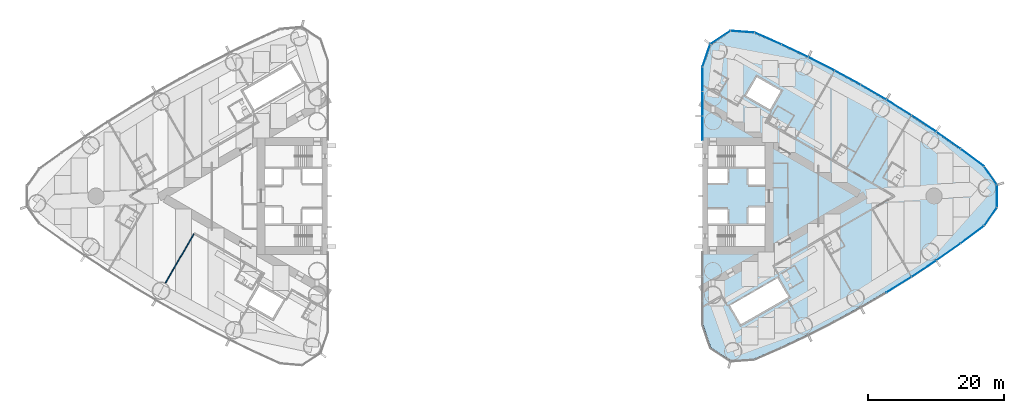
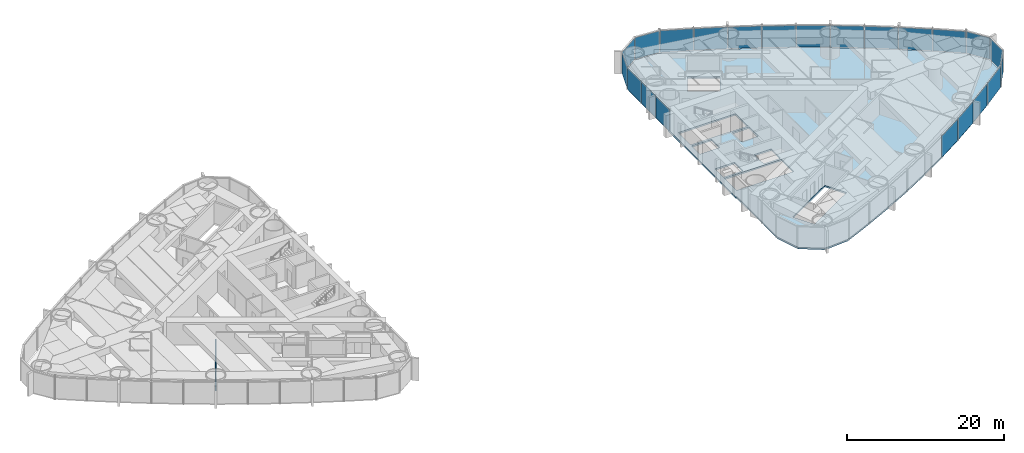
# One storey, part 10 of 18: 22 plates, 1 slab, 1 wall, 1 element without a shape of its own.
"""IFC4 building model written with IfcOpenShell, lengths in metres."""

import ifcopenshell
import ifcopenshell.guid

model = None  # the IFC model being written
_history = None  # IfcOwnerHistory: only IFC2X3 demands one
_inside = {}  # id of a spatial element -> (the spatial element, [elements in it])
_under = {}  # id of a project, library or spatial element -> (it, [spatial elements below it])
_declared = {}  # id of a project -> (the project, [libraries it declares])
_typed = {}  # id of a type object -> (the type object, [elements of that type])
_made_of = {}  # id of a material, layer set ... -> (it, [elements and type objects made of it])


def new_model(schema):
    """Start an empty IFC model of exactly this schema.

    Asked for "IFC4X3", IfcOpenShell would pick the latest addendum, in which some entities
    have other attributes; the version numbers below select the first issue.
    IFC2X3 requires an IfcOwnerHistory on every rooted entity: one is made here for all.
    """
    global model, _history
    if schema == "IFC4X3":
        model = ifcopenshell.file(schema_version=(4, 3, 0, 0))
    else:
        model = ifcopenshell.file(schema=schema)
    _inside.clear()
    _under.clear()
    _declared.clear()
    _typed.clear()
    _made_of.clear()
    _history = None
    if model.schema == "IFC2X3":
        org = make("IfcOrganization", Name="unknown")
        user = make(
            "IfcPersonAndOrganization",
            ThePerson=make("IfcPerson", FamilyName="unknown"),
            TheOrganization=org,
        )
        app = make(
            "IfcApplication",
            ApplicationDeveloper=org,
            Version="unknown",
            ApplicationFullName="unknown",
            ApplicationIdentifier="unknown",
        )
        _history = make(
            "IfcOwnerHistory",
            OwningUser=user,
            OwningApplication=app,
            ChangeAction="ADDED",
            CreationDate=0,
        )
    return model


def make(cls, **values):
    """One entity of the class cls with the attributes given. An attribute that is None is left unset."""
    return model.create_entity(
        cls, **{name: value for name, value in values.items() if value is not None}
    )


def rooted(cls, **values):
    """An entity with a GlobalId (a new one), such as an element, a storey or a relation."""
    return make(cls, GlobalId=ifcopenshell.guid.new(), OwnerHistory=_history, **values)


def si_unit(unit_type, name, prefix=None):
    """IfcSIUnit, for example si_unit("LENGTHUNIT", "METRE", prefix="MILLI")."""
    return make("IfcSIUnit", UnitType=unit_type, Prefix=prefix, Name=name)


def assignment(units):
    """IfcUnitAssignment: the units of a project."""
    return None if units is None else make("IfcUnitAssignment", Units=units)


def point(xyz):
    """IfcCartesianPoint."""
    return None if xyz is None else make("IfcCartesianPoint", Coordinates=xyz)


def direction(xyz):
    """IfcDirection."""
    return None if xyz is None else make("IfcDirection", DirectionRatios=xyz)


def frame(location, z_axis=None, x_axis=None):
    """IfcAxis2Placement3D, a coordinate frame: its origin and axes. An axis left out is left unset."""
    return make(
        "IfcAxis2Placement3D",
        Location=point(location),
        Axis=direction(z_axis),
        RefDirection=direction(x_axis),
    )


def frame_2d(location, x_axis=None):
    """IfcAxis2Placement2D, a coordinate frame in the plane: its origin and x axis."""
    return make(
        "IfcAxis2Placement2D", Location=point(location), RefDirection=direction(x_axis)
    )


def origin():
    """The frame at (0, 0, 0) with its axes left unset."""
    return frame((0.0, 0.0, 0.0))


def origin_2d():
    """The frame at (0, 0) in the plane with its x axis left unset."""
    return frame_2d((0.0, 0.0))


def place(relative_to, where):
    """IfcLocalPlacement: puts the frame where relative to a parent placement (None: the world)."""
    return make(
        "IfcLocalPlacement", PlacementRelTo=relative_to, RelativePlacement=where
    )


def context(
    kind, dimensions, precision=None, world=None, true_north=None, identifier=None
):
    """IfcGeometricRepresentationContext, for example the 3D "Model" context."""
    return make(
        "IfcGeometricRepresentationContext",
        ContextIdentifier=identifier,
        ContextType=kind,
        CoordinateSpaceDimension=dimensions,
        Precision=precision,
        WorldCoordinateSystem=world,
        TrueNorth=true_north,
    )


def subcontext(parent, identifier, kind, view, scale=None):
    """IfcGeometricRepresentationSubContext, for example "Body" below "Model"."""
    return make(
        "IfcGeometricRepresentationSubContext",
        ContextIdentifier=identifier,
        ContextType=kind,
        ParentContext=parent,
        TargetScale=scale,
        TargetView=view,
    )


def project(units=None, contexts=None):
    """IfcProject with its units and contexts."""
    return rooted(
        "IfcProject",
        Name="project",
        RepresentationContexts=contexts,
        UnitsInContext=assignment(units),
    )


def spatial(cls, under=None, at=None, **own):
    """A site, building, storey or space (cls), placed at a placement, below another one or the project."""
    s = rooted(cls, ObjectPlacement=at, **own)
    if under is not None:
        _under.setdefault(under.id(), (under, []))[1].append(s)
    return s


def polyline(points):
    """IfcPolyline through the points."""
    return make("IfcPolyline", Points=[point(p) for p in points])


def profile(cls, at=None, kind="AREA", **sizes):
    """A parametric profile (cls). Its sizes go by their IFC names, for example OverallWidth=200.0."""
    return make(cls, ProfileType=kind, Position=at, **sizes)


def rectangle(**sizes):
    """IfcRectangleProfileDef."""
    return profile("IfcRectangleProfileDef", **sizes)


def outline(outer, holes=None, kind="AREA"):
    """IfcArbitraryClosedProfileDef: a profile drawn as a closed curve; with holes, ...WithVoids."""
    if holes is None:
        return make("IfcArbitraryClosedProfileDef", ProfileType=kind, OuterCurve=outer)
    return make(
        "IfcArbitraryProfileDefWithVoids",
        ProfileType=kind,
        OuterCurve=outer,
        InnerCurves=holes,
    )


def extrude(swept, where, along, depth):
    """IfcExtrudedAreaSolid: the profile swept, set in the frame where, extruded along a direction by depth."""
    return make(
        "IfcExtrudedAreaSolid",
        SweptArea=swept,
        Position=where,
        ExtrudedDirection=direction(along),
        Depth=depth,
    )


def shape(context_of_items, identifier, shape_type, items):
    """IfcShapeRepresentation: the items that make up one representation, for example the "Body"."""
    return make(
        "IfcShapeRepresentation",
        ContextOfItems=context_of_items,
        RepresentationIdentifier=identifier,
        RepresentationType=shape_type,
        Items=items,
    )


def material(Name=None, Category=None):
    """IfcMaterial."""
    return make("IfcMaterial", Name=Name, Category=Category)


def layer(
    of_material, thickness, ventilated=None, Name=None, Category=None, Priority=None
):
    """IfcMaterialLayer: one layer of a wall or slab, of a material (None: an air gap)."""
    return make(
        "IfcMaterialLayer",
        Material=of_material,
        LayerThickness=thickness,
        IsVentilated=ventilated,
        Name=Name,
        Category=Category,
        Priority=Priority,
    )


def layer_set(layers, Name=None):
    """IfcMaterialLayerSet."""
    return make("IfcMaterialLayerSet", MaterialLayers=layers, LayerSetName=Name)


def made_of(thing, what):
    """Note that an element or type object is made of a material, layer set ...; save() writes the relation."""
    if what is not None:
        _made_of.setdefault(what.id(), (what, []))[1].append(thing)
    return thing


def type_object(cls, material=None, **own):
    """A type object (cls), such as IfcWallType, which elements share."""
    return made_of(rooted(cls, **own), material)


def element(
    cls,
    number,
    at=None,
    inside=None,
    cuts=None,
    type_object=None,
    material=None,
    context=None,
    identifier="Body",
    shape_type=None,
    held_by="IfcProductDefinitionShape",
    body=None,
    shapes=None,
    **own,
):
    """One element of the class cls, such as IfcWall. Its Tag is "e" and its number.

    at: its placement. inside: the storey or other place that contains it. cuts: it is an
    opening in that element (IfcRelVoidsElement). A single representation is given by context,
    identifier, shape_type and body (its items); several are given by shapes. held_by: the class
    of the entity that holds the representations. save() writes the other relations.
    """
    e = rooted(cls, Tag="e%d" % number, ObjectPlacement=at, **own)
    if body is not None:
        shapes = [shape(context, identifier, shape_type, body)]
    if shapes is not None:
        e.Representation = make(held_by, Representations=shapes)
    if inside is not None:
        _inside.setdefault(inside.id(), (inside, []))[1].append(e)
    if cuts is not None:
        rooted(
            "IfcRelVoidsElement", RelatingBuildingElement=cuts, RelatedOpeningElement=e
        )
    if type_object is not None:
        _typed.setdefault(type_object.id(), (type_object, []))[1].append(e)
    return made_of(e, material)


def aggregate(whole, parts):
    """IfcRelAggregates: a whole, such as a stair, and the parts it consists of."""
    return rooted("IfcRelAggregates", RelatingObject=whole, RelatedObjects=parts)


def save(model, path):
    """Write the relations noted so far, then the file.

    IfcRelAggregates (storeys below a building ...), IfcRelContainedInSpatialStructure (elements
    in a storey), IfcRelDefinesByType, IfcRelAssociatesMaterial and IfcRelDeclares: one each for
    every whole, place, type object, material and project.
    """
    for whole, parts in _under.values():
        aggregate(whole, parts)
    for where, things in _inside.values():
        rooted(
            "IfcRelContainedInSpatialStructure",
            RelatedElements=things,
            RelatingStructure=where,
        )
    for kind, things in _typed.values():
        rooted("IfcRelDefinesByType", RelatedObjects=things, RelatingType=kind)
    for what, things in _made_of.values():
        rooted("IfcRelAssociatesMaterial", RelatedObjects=things, RelatingMaterial=what)
    for by, libraries in _declared.values():
        rooted("IfcRelDeclares", RelatingContext=by, RelatedDefinitions=libraries)
    model.write(path)


model = new_model("IFC4")

# Units and contexts
model_context = context("Model", 3, precision=1e-05, world=origin(), true_north=direction((0.0, 1.0)))
body_context = subcontext(model_context, "Body", "Model", "MODEL_VIEW")
ifc_project = project(units=[si_unit("LENGTHUNIT", "METRE"), si_unit("AREAUNIT", "SQUARE_METRE"), si_unit("VOLUMEUNIT", "CUBIC_METRE"), si_unit("PLANEANGLEUNIT", "RADIAN"), si_unit("MASSUNIT", "GRAM", prefix="KILO")], contexts=[model_context])

# Site, building, storey
site_placement = place(None, origin())
site = spatial("IfcSite", under=ifc_project, at=site_placement, CompositionType="ELEMENT")
building_placement = place(site_placement, origin())
building = spatial("IfcBuilding", under=site, at=building_placement, Name="Lancet Gate Hotel", CompositionType="ELEMENT")
storey_placement = place(building_placement, frame((0.0, 0.0, 136.10009765625)))
storey = spatial("IfcBuildingStorey", under=building, at=storey_placement, Name="L36", CompositionType="ELEMENT", Elevation=136.10009765625)

# Slab
ifc_material_1 = material(Name="Concrete C50/60", Category="concrete")
ifc_layer_1 = layer(ifc_material_1, 0.25)
ifc_layer_set_1 = layer_set([ifc_layer_1], Name="Floor slab 250")
slab_type = type_object("IfcSlabType", Name="Floor slab 250", PredefinedType="FLOOR", material=ifc_layer_set_1)
slab_placement = place(storey_placement, frame((0.0, 0.0, -0.25)))
element("IfcSlab", 1, at=slab_placement, inside=storey, type_object=slab_type, Name="T2 L36 floor slab", PredefinedType="FLOOR", context=body_context, shape_type="SweptSolid", body=[
    extrude(outline(polyline([(27.5, -8.60009765625), (27.6201171875, -8.60009765625), (27.6201171875, -18.923095703125), (28.7451171875, -22.22412109375), (31.63427734375, -24.1396484375), (35.112060546875, -23.890869140625), (39.0712890625, -22.150634765625), (42.996826171875, -20.29052734375), (46.867919921875, -18.31982421875), (50.681640625, -16.23974609375), (54.4345703125, -14.052490234375), (58.123779296875, -11.75927734375), (61.74658203125, -9.362548828125), (65.2998046875, -6.863525390625), (68.7666015625, -4.275390625), (70.627197265625, -1.6142578125), (70.627197265625, 1.6142578125), (68.7666015625, 4.275390625), (65.2998046875, 6.863525390625), (61.74658203125, 9.362548828125), (58.123779296875, 11.75927734375), (54.4345703125, 14.052490234375), (50.681640625, 16.23974609375), (46.867919921875, 18.31982421875), (42.996826171875, 20.29052734375), (39.0712890625, 22.150634765625), (35.112060546875, 23.890869140625), (31.63427734375, 24.1396484375), (28.7451171875, 22.22412109375), (27.6201171875, 18.923095703125), (27.6201171875, 8.60009765625), (27.5, 8.60009765625), (27.5, 8.199951171875), (27.5, -8.199951171875), (27.5, -8.60009765625)]), holes=[polyline([(36.699951171875, -7.39990234375), (36.699951171875, -4.300048828125), (28.300048828125, -4.300048828125), (28.300048828125, -7.39990234375), (36.699951171875, -7.39990234375)]), polyline([(28.300048828125, -4.0), (31.199951171875, -4.0), (31.199951171875, -1.89990234375), (28.300048828125, -1.89990234375), (28.300048828125, -4.0)]), polyline([(34.25, -4.0), (36.699951171875, -4.0), (36.699951171875, -1.64990234375), (34.25, -1.64990234375), (34.25, -4.0)]), polyline([(36.699951171875, 1.64990234375), (36.699951171875, 4.0), (34.25, 4.0), (34.25, 1.64990234375), (36.699951171875, 1.64990234375)]), polyline([(28.300048828125, 1.89990234375), (31.199951171875, 1.89990234375), (31.199951171875, 4.0), (28.300048828125, 4.0), (28.300048828125, 1.89990234375)]), polyline([(28.300048828125, 4.300048828125), (36.699951171875, 4.300048828125), (36.699951171875, 7.39990234375), (28.300048828125, 7.39990234375), (28.300048828125, 4.300048828125)]), polyline([(31.549072265625, -16.0810546875), (33.14892578125, -18.85205078125), (40.1640625, -14.802001953125), (38.56396484375, -12.031005859375), (31.549072265625, -16.0810546875)]), polyline([(33.887939453125, 14.73095703125), (37.43798828125, 12.680908203125), (39.0380859375, 15.451904296875), (35.488037109375, 17.501953125), (33.887939453125, 14.73095703125)])]), origin(), (0.0, 0.0, 1.0), 0.25),
])

# Curtain wall, plates
ifc_material_2 = material(Name="Aluminium curtain wall", Category="aluminium")
curtain_wall_type = type_object("IfcCurtainWallType", Name="Tower unitised curtain wall", PredefinedType="USERDEFINED", material=ifc_material_2)
curtain_wall_placement = place(storey_placement, origin())
curtain_wall = element("IfcCurtainWall", 2, at=curtain_wall_placement, inside=storey, type_object=curtain_wall_type, Name="T2 L36 curtain wall 1", ObjectType="UNITISED CURTAIN WALL", PredefinedType="USERDEFINED")
ifc_material_3 = material(Name="Glass double glazed unit 8-16-6", Category="glass")
ifc_layer_2 = layer(ifc_material_3, 0.030029296875)
ifc_layer_set_2 = layer_set([ifc_layer_2], Name="Vision panel double glazed")
plate_type = type_object("IfcPlateType", Name="Vision panel double glazed", PredefinedType="CURTAIN_PANEL", material=ifc_layer_set_2)
plate_1_placement = place(storey_placement, frame((56.342529296875, -13.0078125, -0.000244140625), z_axis=(0.0, 0.0, 1.0), x_axis=(0.849317759497, 0.527881940781, 0.0)))
plate_1 = element("IfcPlate", 3, at=plate_1_placement, type_object=plate_type, Name="T2 L36 curtain wall 1 panel 12", PredefinedType="CURTAIN_PANEL", context=body_context, shape_type="SweptSolid", body=[
    extrude(rectangle(XDim=4.2822265625, YDim=0.030029296875, at=origin_2d()), origin(), (0.0, 0.0, 1.0), 3.35009765625),
])
plate_2_placement = place(storey_placement, frame((60.00146484375, -10.660888671875, -0.000244140625), z_axis=(0.0, 0.0, 1.0), x_axis=(0.83398495346, 0.551787184885, 0.0)))
plate_2 = element("IfcPlate", 4, at=plate_2_placement, type_object=plate_type, Name="T2 L36 curtain wall 1 panel 13", PredefinedType="CURTAIN_PANEL", context=body_context, shape_type="SweptSolid", body=[
    extrude(rectangle(XDim=4.2822265625, YDim=0.030029296875, at=origin_2d()), origin(), (0.0, 0.0, 1.0), 3.35009765625),
])
plate_3_placement = place(storey_placement, frame((63.59228515625, -8.211181640625, -0.000244140625), z_axis=(0.0, 0.0, 1.0), x_axis=(0.817979492167, 0.57524738191, 0.0)))
plate_3 = element("IfcPlate", 5, at=plate_3_placement, type_object=plate_type, Name="T2 L36 curtain wall 1 panel 14", PredefinedType="CURTAIN_PANEL", context=body_context, shape_type="SweptSolid", body=[
    extrude(rectangle(XDim=4.2822265625, YDim=0.030029296875, at=origin_2d()), origin(), (0.0, 0.0, 1.0), 3.35009765625),
])
plate_4_placement = place(storey_placement, frame((67.112060546875, -5.660400390625, -0.000244140625), z_axis=(0.0, 0.0, 1.0), x_axis=(0.801314284905, 0.598243609917, 0.0)))
plate_4 = element("IfcPlate", 6, at=plate_4_placement, type_object=plate_type, Name="T2 L36 curtain wall 1 panel 15", PredefinedType="CURTAIN_PANEL", context=body_context, shape_type="SweptSolid", body=[
    extrude(rectangle(XDim=4.2822265625, YDim=0.030029296875, at=origin_2d()), origin(), (0.0, 0.0, 1.0), 3.35009765625),
])
plate_5_placement = place(storey_placement, frame((69.800537109375, -3.006103515625, -0.000244140625), z_axis=(0.0, 0.0, 1.0), x_axis=(0.573025075425, 0.819537834962, 0.0)))
plate_5 = element("IfcPlate", 7, at=plate_5_placement, type_object=plate_type, Name="T2 L36 curtain wall 1 panel 16", PredefinedType="CURTAIN_PANEL", context=body_context, shape_type="SweptSolid", body=[
    extrude(rectangle(XDim=3.2392578125, YDim=0.030029296875, at=origin_2d()), origin(), (0.0, 0.0, 1.0), 3.35009765625),
])
plate_6_placement = place(storey_placement, frame((70.747314453125, 0.0, -0.000244140625), z_axis=(0.0, 0.0, 1.0), x_axis=(0.0, 1.0, 0.0)))
plate_6 = element("IfcPlate", 8, at=plate_6_placement, type_object=plate_type, Name="T2 L36 curtain wall 1 panel 17", PredefinedType="CURTAIN_PANEL", context=body_context, shape_type="SweptSolid", body=[
    extrude(rectangle(XDim=3.2392578125, YDim=0.030029296875, at=origin_2d()), origin(), (0.0, 0.0, 1.0), 3.35009765625),
])
plate_7_placement = place(storey_placement, frame((69.800537109375, 3.006103515625, -0.000244140625), z_axis=(0.0, 0.0, 1.0), x_axis=(-0.573025075425, 0.819537834962, 0.0)))
plate_7 = element("IfcPlate", 9, at=plate_7_placement, type_object=plate_type, Name="T2 L36 curtain wall 1 panel 18", PredefinedType="CURTAIN_PANEL", context=body_context, shape_type="SweptSolid", body=[
    extrude(rectangle(XDim=3.2392578125, YDim=0.030029296875, at=origin_2d()), origin(), (0.0, 0.0, 1.0), 3.35009765625),
])
plate_8_placement = place(storey_placement, frame((67.112060546875, 5.660400390625, -0.000244140625), z_axis=(0.0, 0.0, 1.0), x_axis=(-0.801314284905, 0.598243609917, 0.0)))
plate_8 = element("IfcPlate", 10, at=plate_8_placement, type_object=plate_type, Name="T2 L36 curtain wall 1 panel 19", PredefinedType="CURTAIN_PANEL", context=body_context, shape_type="SweptSolid", body=[
    extrude(rectangle(XDim=4.2822265625, YDim=0.030029296875, at=origin_2d()), origin(), (0.0, 0.0, 1.0), 3.35009765625),
])
plate_9_placement = place(storey_placement, frame((63.59228515625, 8.211181640625, -0.000244140625), z_axis=(0.0, 0.0, 1.0), x_axis=(-0.817979492167, 0.57524738191, 0.0)))
plate_9 = element("IfcPlate", 11, at=plate_9_placement, type_object=plate_type, Name="T2 L36 curtain wall 1 panel 20", PredefinedType="CURTAIN_PANEL", context=body_context, shape_type="SweptSolid", body=[
    extrude(rectangle(XDim=4.2822265625, YDim=0.030029296875, at=origin_2d()), origin(), (0.0, 0.0, 1.0), 3.35009765625),
])
plate_10_placement = place(storey_placement, frame((60.00146484375, 10.660888671875, -0.000244140625), z_axis=(0.0, 0.0, 1.0), x_axis=(-0.83398495346, 0.551787184885, 0.0)))
plate_10 = element("IfcPlate", 12, at=plate_10_placement, type_object=plate_type, Name="T2 L36 curtain wall 1 panel 21", PredefinedType="CURTAIN_PANEL", context=body_context, shape_type="SweptSolid", body=[
    extrude(rectangle(XDim=4.2822265625, YDim=0.030029296875, at=origin_2d()), origin(), (0.0, 0.0, 1.0), 3.35009765625),
])
plate_11_placement = place(storey_placement, frame((56.342529296875, 13.0078125, -0.000244140625), z_axis=(0.0, 0.0, 1.0), x_axis=(-0.849317759497, 0.527881940781, 0.0)))
plate_11 = element("IfcPlate", 13, at=plate_11_placement, type_object=plate_type, Name="T2 L36 curtain wall 1 panel 22", PredefinedType="CURTAIN_PANEL", context=body_context, shape_type="SweptSolid", body=[
    extrude(rectangle(XDim=4.2822265625, YDim=0.030029296875, at=origin_2d()), origin(), (0.0, 0.0, 1.0), 3.35009765625),
])
plate_12_placement = place(storey_placement, frame((52.618408203125, 15.249755859375, -0.000244140625), z_axis=(0.0, 0.0, 1.0), x_axis=(-0.863965543499, 0.503550930538, 0.0)))
plate_12 = element("IfcPlate", 14, at=plate_12_placement, type_object=plate_type, Name="T2 L36 curtain wall 1 panel 23", PredefinedType="CURTAIN_PANEL", context=body_context, shape_type="SweptSolid", body=[
    extrude(rectangle(XDim=4.2822265625, YDim=0.030029296875, at=origin_2d()), origin(), (0.0, 0.0, 1.0), 3.35009765625),
])
plate_13_placement = place(storey_placement, frame((48.832275390625, 17.38525390625, -0.000244140625), z_axis=(0.0, 0.0, 1.0), x_axis=(-0.877916491224, 0.478813778454, 0.0)))
plate_13 = element("IfcPlate", 15, at=plate_13_placement, type_object=plate_type, Name="T2 L36 curtain wall 1 panel 24", PredefinedType="CURTAIN_PANEL", context=body_context, shape_type="SweptSolid", body=[
    extrude(rectangle(XDim=4.2822265625, YDim=0.030029296875, at=origin_2d()), origin(), (0.0, 0.0, 1.0), 3.35009765625),
])
plate_14_placement = place(storey_placement, frame((44.98681640625, 19.412109375, -0.000244140625), z_axis=(0.0, 0.0, 1.0), x_axis=(-0.891159350462, 0.453690436403, 0.0)))
plate_14 = element("IfcPlate", 16, at=plate_14_placement, type_object=plate_type, Name="T2 L36 curtain wall 1 panel 25", PredefinedType="CURTAIN_PANEL", context=body_context, shape_type="SweptSolid", body=[
    extrude(rectangle(XDim=4.2822265625, YDim=0.030029296875, at=origin_2d()), origin(), (0.0, 0.0, 1.0), 3.35009765625),
])
plate_15_placement = place(storey_placement, frame((41.08544921875, 21.3291015625, -0.000244140625), z_axis=(0.0, 0.0, 1.0), x_axis=(-0.903683440096, 0.428201167789, 0.0)))
plate_15 = element("IfcPlate", 17, at=plate_15_placement, type_object=plate_type, Name="T2 L36 curtain wall 1 panel 26", PredefinedType="CURTAIN_PANEL", context=body_context, shape_type="SweptSolid", body=[
    extrude(rectangle(XDim=4.2822265625, YDim=0.030029296875, at=origin_2d()), origin(), (0.0, 0.0, 1.0), 3.35009765625),
])
plate_16_placement = place(storey_placement, frame((37.13134765625, 23.13427734375, -0.000244140625), z_axis=(0.0, 0.0, 1.0), x_axis=(-0.915478658759, 0.40236653111, 0.0)))
plate_16 = element("IfcPlate", 18, at=plate_16_placement, type_object=plate_type, Name="T2 L36 curtain wall 1 panel 27", PredefinedType="CURTAIN_PANEL", context=body_context, shape_type="SweptSolid", body=[
    extrude(rectangle(XDim=4.2822265625, YDim=0.030029296875, at=origin_2d()), origin(), (0.0, 0.0, 1.0), 3.35009765625),
])
plate_17_placement = place(storey_placement, frame((33.37158203125, 24.1357421875, -0.000244140625), z_axis=(0.0, 0.0, 1.0), x_axis=(-0.997448492935, 0.07138980278, 0.0)))
plate_17 = element("IfcPlate", 19, at=plate_17_placement, type_object=plate_type, Name="T2 L36 curtain wall 1 panel 28", PredefinedType="CURTAIN_PANEL", context=body_context, shape_type="SweptSolid", body=[
    extrude(rectangle(XDim=3.4833984375, YDim=0.030029296875, at=origin_2d()), origin(), (0.0, 0.0, 1.0), 3.35009765625),
])
plate_18_placement = place(storey_placement, frame((30.123291015625, 23.281982421875, -0.000244140625), z_axis=(0.0, 0.0, 1.0), x_axis=(-0.833464516611, -0.552572981198, 0.0)))
plate_18 = element("IfcPlate", 20, at=plate_18_placement, type_object=plate_type, Name="T2 L36 curtain wall 1 panel 29", PredefinedType="CURTAIN_PANEL", context=body_context, shape_type="SweptSolid", body=[
    extrude(rectangle(XDim=3.4833984375, YDim=0.030029296875, at=origin_2d()), origin(), (0.0, 0.0, 1.0), 3.35009765625),
])
plate_19_placement = place(storey_placement, frame((28.072265625, 20.622314453125, -0.000244140625), z_axis=(0.0, 0.0, 1.0), x_axis=(-0.32257568891, -0.946543673015, 0.0)))
plate_19 = element("IfcPlate", 21, at=plate_19_placement, type_object=plate_type, Name="T2 L36 curtain wall 1 panel 30", PredefinedType="CURTAIN_PANEL", context=body_context, shape_type="SweptSolid", body=[
    extrude(rectangle(XDim=3.4833984375, YDim=0.030029296875, at=origin_2d()), origin(), (0.0, 0.0, 1.0), 3.35009765625),
])
plate_20_placement = place(storey_placement, frame((27.5, 17.15234375, -0.000244140625), z_axis=(0.0, 0.0, 1.0), x_axis=(0.0, -1.0, 0.0)))
plate_20 = element("IfcPlate", 22, at=plate_20_placement, type_object=plate_type, Name="T2 L36 curtain wall 1 panel 31", PredefinedType="CURTAIN_PANEL", context=body_context, shape_type="SweptSolid", body=[
    extrude(rectangle(XDim=3.515869140625, YDim=0.030029296875, at=origin_2d()), origin(), (0.0, 0.0, 1.0), 3.35009765625),
])
plate_21_placement = place(storey_placement, frame((27.5, 13.571533203125, -0.000244140625), z_axis=(0.0, 0.0, 1.0), x_axis=(0.0, -1.0, 0.0)))
plate_21 = element("IfcPlate", 23, at=plate_21_placement, type_object=plate_type, Name="T2 L36 curtain wall 1 panel 32", PredefinedType="CURTAIN_PANEL", context=body_context, shape_type="SweptSolid", body=[
    extrude(rectangle(XDim=3.515869140625, YDim=0.030029296875, at=origin_2d()), origin(), (0.0, 0.0, 1.0), 3.35009765625),
])
plate_22_placement = place(storey_placement, frame((27.5, 9.990478515625, -0.000244140625), z_axis=(0.0, 0.0, 1.0), x_axis=(0.0, -1.0, 0.0)))
plate_22 = element("IfcPlate", 24, at=plate_22_placement, type_object=plate_type, Name="T2 L36 curtain wall 1 panel 33", PredefinedType="CURTAIN_PANEL", context=body_context, shape_type="SweptSolid", body=[
    extrude(rectangle(XDim=3.515869140625, YDim=0.030029296875, at=origin_2d()), origin(), (0.0, 0.0, 1.0), 3.35009765625),
])
aggregate(curtain_wall, [plate_1, plate_2, plate_3, plate_4, plate_5, plate_6, plate_7, plate_8, plate_9, plate_10, plate_11, plate_12, plate_13, plate_14, plate_15, plate_16, plate_17, plate_18, plate_19, plate_20, plate_21, plate_22])

# Wall
ifc_material_4 = material(Name="Gypsum board partition")
ifc_layer_3 = layer(ifc_material_4, 0.14990234375)
ifc_layer_set_3 = layer_set([ifc_layer_3], Name="Party wall 150")
wall_type = type_object("IfcWallType", Name="Party wall 150", PredefinedType="PARTITIONING", material=ifc_layer_set_3)
wall_placement = place(storey_placement, frame((-47.151123046875, -5.552490234375, 0.0), z_axis=(0.0, 0.0, 1.0), x_axis=(-0.500003012045, -0.866023664773, 0.0)))
element("IfcWall", 25, at=wall_placement, inside=storey, type_object=wall_type, Name="T1 party wall 150 L36", PredefinedType="PARTITIONING", context=body_context, shape_type="SweptSolid", body=[
    extrude(rectangle(XDim=8.31103515625, YDim=0.14990234375, at=frame_2d((4.155517578125, 0.0))), origin(), (0.0, 0.0, 1.0), 2.199951171875),
])

save(model, "model.ifc")
